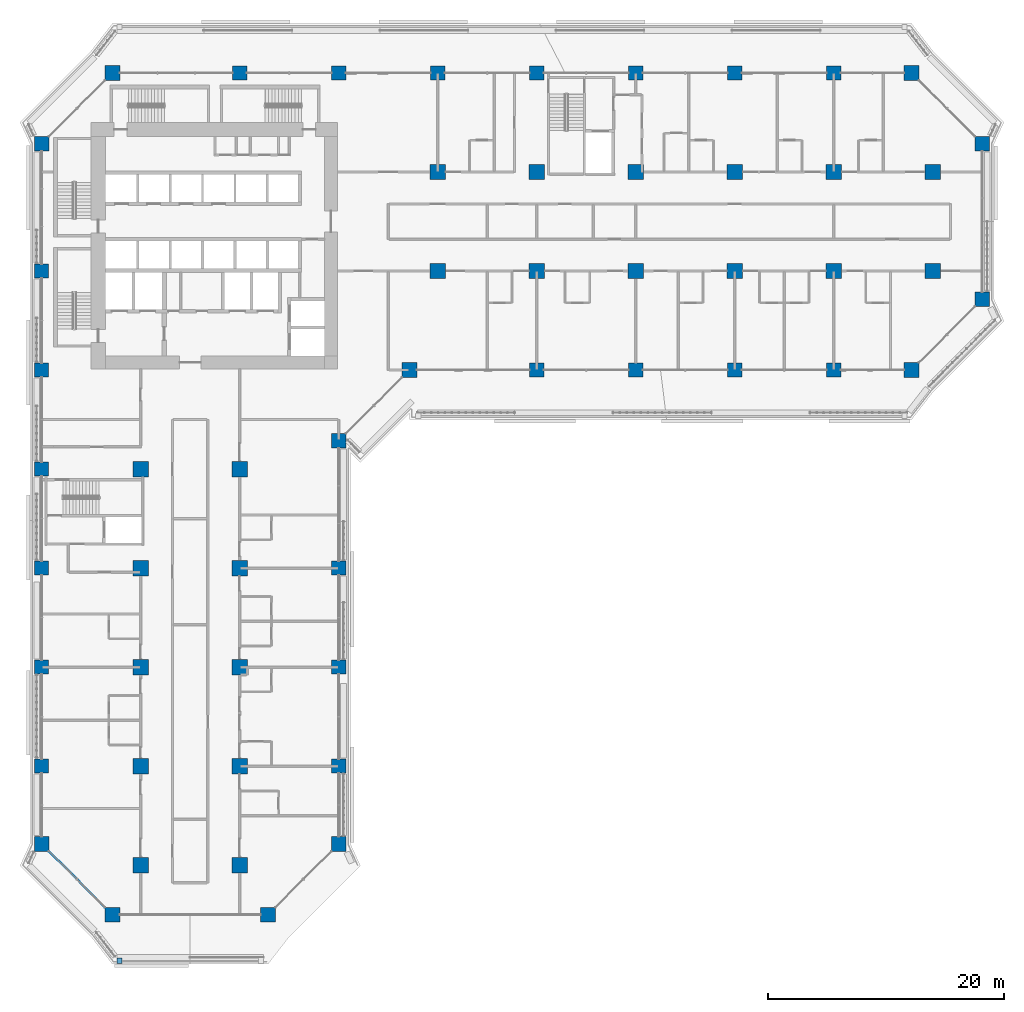
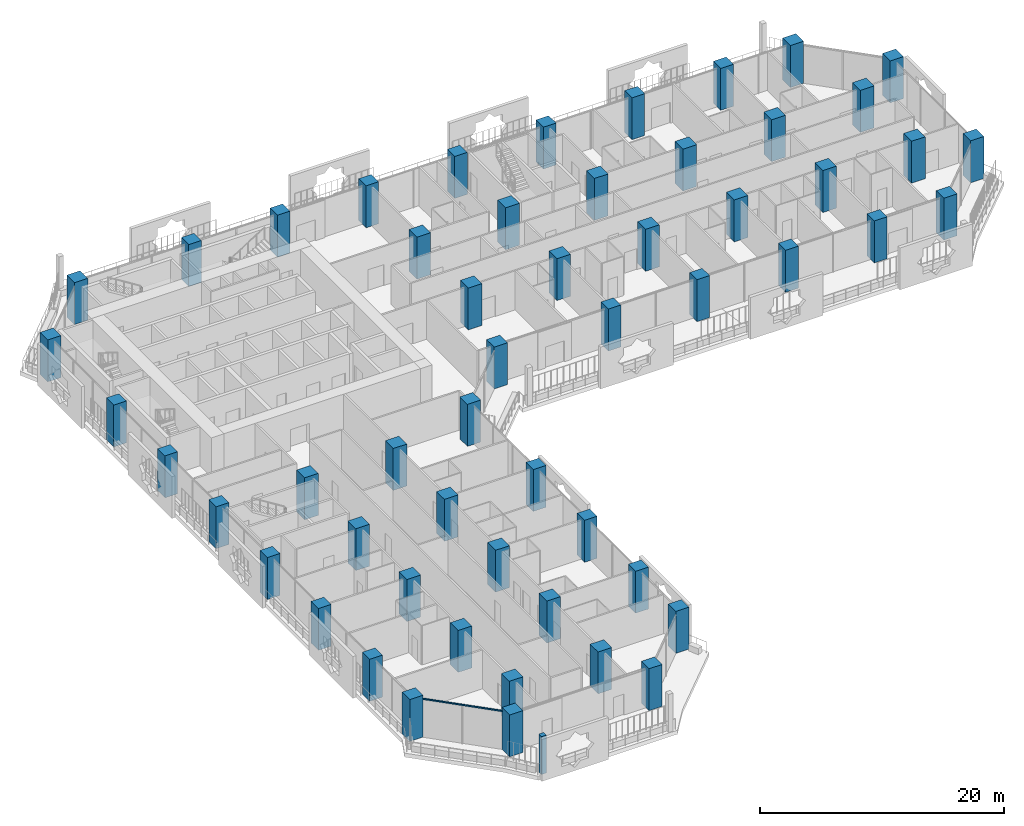
# One storey, part 1 of 27: 54 columns, 2 members, 2 elements without a shape of their own.
"""IFC4 building model written with IfcOpenShell, lengths in metres."""

from ifc_helpers import new_model, si_unit, direction, frame, origin, origin_2d, place, context, subcontext, project, spatial, rectangle, extrude, material, layer, layer_set, material_profile, profile_set, type_object, element, aggregate, save


model = new_model("IFC4")

# Units and contexts
model_context = context("Model", 3, precision=1e-05, world=origin(), true_north=direction((0.0, 1.0)))
body_context = subcontext(model_context, "Body", "Model", "MODEL_VIEW")
ifc_project = project(units=[si_unit("LENGTHUNIT", "METRE"), si_unit("AREAUNIT", "SQUARE_METRE"), si_unit("VOLUMEUNIT", "CUBIC_METRE"), si_unit("PLANEANGLEUNIT", "RADIAN"), si_unit("MASSUNIT", "GRAM", prefix="KILO")], contexts=[model_context])

# Site, building, storey
site_placement = place(None, origin())
site = spatial("IfcSite", under=ifc_project, at=site_placement, CompositionType="ELEMENT")
building_placement = place(site_placement, origin())
building = spatial("IfcBuilding", under=site, at=building_placement, Name="Kawkab Arch Medical Tower", CompositionType="ELEMENT")
storey_placement = place(building_placement, frame((0.0, 0.0, 85.39990234375)))
storey = spatial("IfcBuildingStorey", under=building, at=storey_placement, Name="L19", CompositionType="ELEMENT", Elevation=85.39990234375)

# Columns
ifc_material_1 = material(Name="Concrete C60/75", Category="concrete")
ifc_material_profile_1 = material_profile(ifc_material_1, rectangle(XDim=1.199951171875, YDim=1.199951171875, at=origin_2d()), Name="RC 1200x1200")
ifc_profile_set_1 = profile_set([ifc_material_profile_1], Name="Concrete C60/75")
column_type_1 = type_object("IfcColumnType", Name="RC 1200x1200 column C60/75", PredefinedType="COLUMN", material=ifc_profile_set_1)
for number, where, z_axis, x_axis, name in (
    (1, (16.800048828125, 0.0, 0.0), (0.0, 0.0, 1.0), (1.0, 0.0, 0.0), "Column RC 1200x1200"),
    (2, (25.199951171875, 0.0, 0.0), (0.0, 0.0, 1.0), (1.0, 0.0, 0.0), "Column RC 1200x1200"),
    (3, (33.60009765625, 0.0, 0.0), (0.0, 0.0, 1.0), (1.0, 0.0, 0.0), "Column RC 1200x1200"),
    (4, (42.0, 0.0, 0.0), (0.0, 0.0, 1.0), (1.0, 0.0, 0.0), "Column RC 1200x1200"),
    (5, (50.39990234375, 0.0, 0.0), (0.0, 0.0, 1.0), (1.0, 0.0, 0.0), "Column RC 1200x1200"),
    (6, (58.800048828125, 0.0, 0.0), (0.0, 0.0, 1.0), (1.0, 0.0, 0.0), "Column RC 1200x1200"),
    (7, (67.199951171875, 0.0, 0.0), (0.0, 0.0, 1.0), (1.0, 0.0, 0.0), "Column RC 1200x1200"),
    (8, (0.0, -16.800048828125, 0.0), (0.0, 0.0, 1.0), (1.0, 0.0, 0.0), "Column RC 1200x1200"),
    (9, (0.0, -25.199951171875, 0.0), (0.0, 0.0, 1.0), (1.0, 0.0, 0.0), "Column RC 1200x1200"),
    (10, (42.0, -25.199951171875, 0.0), (0.0, 0.0, 1.0), (1.0, 0.0, 0.0), "Column RC 1200x1200"),
    (11, (50.39990234375, -25.199951171875, 0.0), (0.0, 0.0, 1.0), (1.0, 0.0, 0.0), "Column RC 1200x1200"),
    (12, (58.800048828125, -25.199951171875, 0.0), (0.0, 0.0, 1.0), (1.0, 0.0, 0.0), "Column RC 1200x1200"),
    (13, (67.199951171875, -25.199951171875, 0.0), (0.0, 0.0, 1.0), (1.0, 0.0, 0.0), "Column RC 1200x1200"),
    (14, (0.0, -33.60009765625, 0.0), (0.0, 0.0, 1.0), (1.0, 0.0, 0.0), "Column RC 1200x1200"),
    (15, (0.0, -42.0, 0.0), (0.0, 0.0, 1.0), (1.0, 0.0, 0.0), "Column RC 1200x1200"),
    (16, (25.199951171875, -42.0, 0.0), (0.0, 0.0, 1.0), (1.0, 0.0, 0.0), "Column RC 1200x1200"),
    (17, (0.0, -50.39990234375, 0.0), (0.0, 0.0, 1.0), (1.0, 0.0, 0.0), "Column RC 1200x1200"),
    (18, (25.199951171875, -50.39990234375, 0.0), (0.0, 0.0, 1.0), (1.0, 0.0, 0.0), "Column RC 1200x1200"),
    (19, (0.0, -58.800048828125, 0.0), (0.0, 0.0, 1.0), (1.0, 0.0, 0.0), "Column RC 1200x1200"),
    (20, (25.199951171875, -58.800048828125, 0.0), (0.0, 0.0, 1.0), (1.0, 0.0, 0.0), "Column RC 1200x1200"),
):
    element("IfcColumn", number, at=place(storey_placement, frame(where, z_axis=z_axis, x_axis=x_axis)), inside=storey, type_object=column_type_1, Name=name, PredefinedType="COLUMN", context=body_context, shape_type="SweptSolid", body=[
        extrude(rectangle(XDim=1.199951171875, YDim=1.199951171875, at=origin_2d()), origin(), (0.0, 0.0, 1.0), 4.2001953125),
    ])
ifc_material_2 = material(Name="Concrete C60/75", Category="concrete")
ifc_material_profile_2 = material_profile(ifc_material_2, rectangle(XDim=1.25, YDim=1.25, at=origin_2d()), Name="RC 1250x1250")
ifc_profile_set_2 = profile_set([ifc_material_profile_2], Name="Concrete C60/75")
column_type_2 = type_object("IfcColumnType", Name="RC 1250x1250 column C60/75", PredefinedType="COLUMN", material=ifc_profile_set_2)
for number, where, z_axis, x_axis, name in (
    (21, (6.0, 0.0, 0.0), (0.0, 0.0, 1.0), (1.0, 0.0, 0.0), "Column RC 1250x1250"),
    (22, (73.800048828125, 0.0, 0.0), (0.0, 0.0, 1.0), (1.0, 0.0, 0.0), "Column RC 1250x1250"),
    (23, (0.0, -6.0, 0.0), (0.0, 0.0, 1.0), (1.0, 0.0, 0.0), "Column RC 1250x1250"),
    (24, (79.800048828125, -6.0, 0.0), (0.0, 0.0, 1.0), (1.0, 0.0, 0.0), "Column RC 1250x1250"),
    (25, (79.800048828125, -19.199951171875, 0.0), (0.0, 0.0, 1.0), (1.0, 0.0, 0.0), "Column RC 1250x1250"),
    (26, (31.199951171875, -25.199951171875, 0.0), (0.0, 0.0, 1.0), (1.0, 0.0, 0.0), "Column RC 1250x1250"),
    (27, (73.800048828125, -25.199951171875, 0.0), (0.0, 0.0, 1.0), (1.0, 0.0, 0.0), "Column RC 1250x1250"),
    (28, (25.199951171875, -31.199951171875, 0.0), (0.0, 0.0, 1.0), (1.0, 0.0, 0.0), "Column RC 1250x1250"),
    (29, (0.0, -65.39990234375, 0.0), (0.0, 0.0, 1.0), (1.0, 0.0, 0.0), "Column RC 1250x1250"),
    (30, (25.199951171875, -65.39990234375, 0.0), (0.0, 0.0, 1.0), (1.0, 0.0, 0.0), "Column RC 1250x1250"),
    (31, (6.0, -71.39990234375, 0.0), (0.0, 0.0, 1.0), (1.0, 0.0, 0.0), "Column RC 1250x1250"),
    (32, (19.199951171875, -71.39990234375, 0.0), (0.0, 0.0, 1.0), (1.0, 0.0, 0.0), "Column RC 1250x1250"),
):
    element("IfcColumn", number, at=place(storey_placement, frame(where, z_axis=z_axis, x_axis=x_axis)), inside=storey, type_object=column_type_2, Name=name, PredefinedType="COLUMN", context=body_context, shape_type="SweptSolid", body=[
        extrude(rectangle(XDim=1.25, YDim=1.25, at=origin_2d()), origin(), (0.0, 0.0, 1.0), 4.2001953125),
    ])
ifc_material_3 = material(Name="Concrete C60/75", Category="concrete")
ifc_material_profile_3 = material_profile(ifc_material_3, rectangle(XDim=1.300048828125, YDim=1.300048828125, at=origin_2d()), Name="RC 1300x1300")
ifc_profile_set_3 = profile_set([ifc_material_profile_3], Name="Concrete C60/75")
column_type_3 = type_object("IfcColumnType", Name="RC 1300x1300 column C60/75", PredefinedType="COLUMN", material=ifc_profile_set_3)
for number, where, z_axis, x_axis, name in (
    (33, (33.60009765625, -8.39990234375, 0.0), (0.0, 0.0, 1.0), (1.0, 0.0, 0.0), "Column RC 1300x1300"),
    (34, (42.0, -8.39990234375, 0.0), (0.0, 0.0, 1.0), (1.0, 0.0, 0.0), "Column RC 1300x1300"),
    (35, (50.39990234375, -8.39990234375, 0.0), (0.0, 0.0, 1.0), (1.0, 0.0, 0.0), "Column RC 1300x1300"),
    (36, (58.800048828125, -8.39990234375, 0.0), (0.0, 0.0, 1.0), (1.0, 0.0, 0.0), "Column RC 1300x1300"),
    (37, (67.199951171875, -8.39990234375, 0.0), (0.0, 0.0, 1.0), (1.0, 0.0, 0.0), "Column RC 1300x1300"),
    (38, (75.60009765625, -8.39990234375, 0.0), (0.0, 0.0, 1.0), (1.0, 0.0, 0.0), "Column RC 1300x1300"),
    (39, (33.60009765625, -16.800048828125, 0.0), (0.0, 0.0, 1.0), (1.0, 0.0, 0.0), "Column RC 1300x1300"),
    (40, (42.0, -16.800048828125, 0.0), (0.0, 0.0, 1.0), (1.0, 0.0, 0.0), "Column RC 1300x1300"),
    (41, (50.39990234375, -16.800048828125, 0.0), (0.0, 0.0, 1.0), (1.0, 0.0, 0.0), "Column RC 1300x1300"),
    (42, (58.800048828125, -16.800048828125, 0.0), (0.0, 0.0, 1.0), (1.0, 0.0, 0.0), "Column RC 1300x1300"),
    (43, (67.199951171875, -16.800048828125, 0.0), (0.0, 0.0, 1.0), (1.0, 0.0, 0.0), "Column RC 1300x1300"),
    (44, (75.60009765625, -16.800048828125, 0.0), (0.0, 0.0, 1.0), (1.0, 0.0, 0.0), "Column RC 1300x1300"),
    (45, (8.39990234375, -33.60009765625, 0.0), (0.0, 0.0, 1.0), (1.0, 0.0, 0.0), "Column RC 1300x1300"),
    (46, (16.800048828125, -33.60009765625, 0.0), (0.0, 0.0, 1.0), (1.0, 0.0, 0.0), "Column RC 1300x1300"),
    (47, (8.39990234375, -42.0, 0.0), (0.0, 0.0, 1.0), (1.0, 0.0, 0.0), "Column RC 1300x1300"),
    (48, (16.800048828125, -42.0, 0.0), (0.0, 0.0, 1.0), (1.0, 0.0, 0.0), "Column RC 1300x1300"),
    (49, (8.39990234375, -50.39990234375, 0.0), (0.0, 0.0, 1.0), (1.0, 0.0, 0.0), "Column RC 1300x1300"),
    (50, (16.800048828125, -50.39990234375, 0.0), (0.0, 0.0, 1.0), (1.0, 0.0, 0.0), "Column RC 1300x1300"),
    (51, (8.39990234375, -58.800048828125, 0.0), (0.0, 0.0, 1.0), (1.0, 0.0, 0.0), "Column RC 1300x1300"),
    (52, (16.800048828125, -58.800048828125, 0.0), (0.0, 0.0, 1.0), (1.0, 0.0, 0.0), "Column RC 1300x1300"),
    (53, (8.39990234375, -67.199951171875, 0.0), (0.0, 0.0, 1.0), (1.0, 0.0, 0.0), "Column RC 1300x1300"),
    (54, (16.800048828125, -67.199951171875, 0.0), (0.0, 0.0, 1.0), (1.0, 0.0, 0.0), "Column RC 1300x1300"),
):
    element("IfcColumn", number, at=place(storey_placement, frame(where, z_axis=z_axis, x_axis=x_axis)), inside=storey, type_object=column_type_3, Name=name, PredefinedType="COLUMN", context=body_context, shape_type="SweptSolid", body=[
        extrude(rectangle(XDim=1.300048828125, YDim=1.300048828125, at=origin_2d()), origin(), (0.0, 0.0, 1.0), 4.2001953125),
    ])

# Curtain wall, member
ifc_material_4 = material(Name="Bronze anodised aluminium curtain wall frame", Category="aluminium")
ifc_layer_1 = layer(ifc_material_4, 0.159912109375)
ifc_layer_set_1 = layer_set([ifc_layer_1], Name="Bronze anodised aluminium curtain wall frame")
curtain_wall_type_1 = type_object("IfcCurtainWallType", Name="CW2 chamfer curtain wall", PredefinedType="NOTDEFINED", material=ifc_layer_set_1)
placement = place(storey_placement, origin())
curtain_wall_1 = element("IfcCurtainWall", 55, at=placement, inside=storey, type_object=curtain_wall_type_1, Name="CW2 Chamfer curtain wall R02", PredefinedType="NOTDEFINED")
ifc_material_5 = material(Name="Bronze anodised aluminium curtain wall frame", Category="aluminium")
ifc_material_profile_4 = material_profile(ifc_material_5, rectangle(XDim=0.06005859375, YDim=0.139892578125, at=origin_2d()), Name="AL 60x140")
ifc_profile_set_4 = profile_set([ifc_material_profile_4], Name="Bronze anodised aluminium curtain wall frame")
member_type_1 = type_object("IfcMemberType", Name="CW2 transom 140 x 60", PredefinedType="USERDEFINED", material=ifc_profile_set_4)
member_1_placement = place(storey_placement, frame((0.625, -66.02490234375, 3.830078125), z_axis=(0.707106781187, -0.707106781187, 0.0), x_axis=(0.707106781187, 0.707106781187, 0.0)))
member_1 = element("IfcMember", 56, at=member_1_placement, type_object=member_type_1, Name="CW2 transom 1", ObjectType="TRANSOM", PredefinedType="USERDEFINED", context=body_context, shape_type="SweptSolid", body=[
    extrude(rectangle(XDim=0.06005859375, YDim=0.139892578125, at=origin_2d()), origin(), (0.0, 0.0, 1.0), 6.717529296875),
])
aggregate(curtain_wall_1, [member_1])

ifc_material_6 = material(Name="Bronze anodised aluminium climber frame, planted", Category="aluminium")
ifc_layer_2 = layer(ifc_material_6, 0.449951171875)
ifc_layer_set_2 = layer_set([ifc_layer_2], Name="Bronze anodised aluminium climber frame, planted")
curtain_wall_type_2 = type_object("IfcCurtainWallType", Name="Planted climber frame", PredefinedType="NOTDEFINED", material=ifc_layer_set_2)
curtain_wall_2 = element("IfcCurtainWall", 57, at=placement, inside=storey, type_object=curtain_wall_type_2, Name="Planted climber frame L19", PredefinedType="NOTDEFINED")
ifc_material_7 = material(Name="Bronze anodised aluminium climber frame, planted", Category="aluminium")
ifc_material_profile_5 = material_profile(ifc_material_7, rectangle(XDim=0.449951171875, YDim=0.449951171875, at=origin_2d()), Name="Post 450x450")
ifc_profile_set_5 = profile_set([ifc_material_profile_5], Name="Bronze anodised aluminium climber frame, planted")
member_type_2 = type_object("IfcMemberType", Name="Planted climber post 450 x 450", PredefinedType="MULLION", material=ifc_profile_set_5)
member_2_placement = place(storey_placement, frame((6.596923828125, -75.300048828125, 0.0), z_axis=(0.0, 0.0, 1.0), x_axis=(1.0, 0.0, 0.0)))
member_2 = element("IfcMember", 58, at=member_2_placement, type_object=member_type_2, Name="Planted climber post L19.LOG-01-01.2", PredefinedType="MULLION", context=body_context, shape_type="SweptSolid", body=[
    extrude(rectangle(XDim=0.449951171875, YDim=0.449951171875, at=origin_2d()), origin(), (0.0, 0.0, 1.0), 3.800048828125),
])
aggregate(curtain_wall_2, [member_2])

save(model, "model.ifc")
